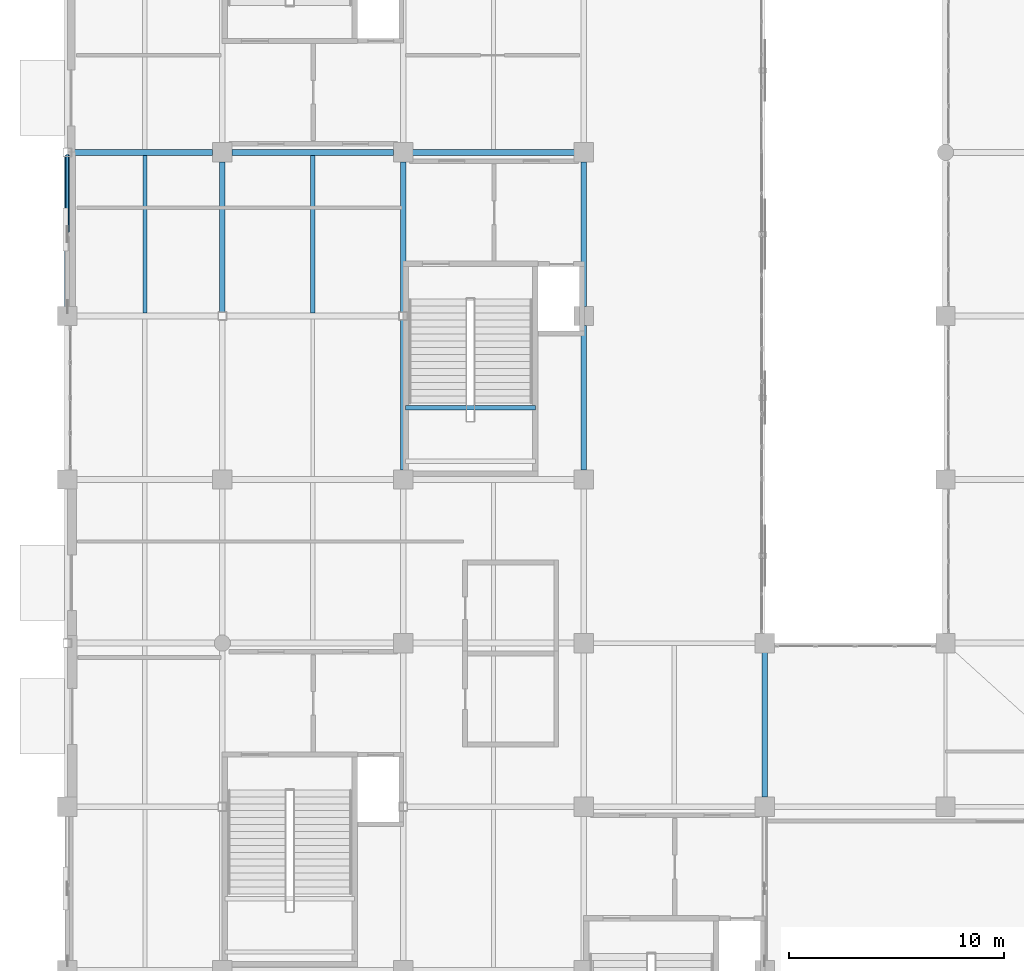
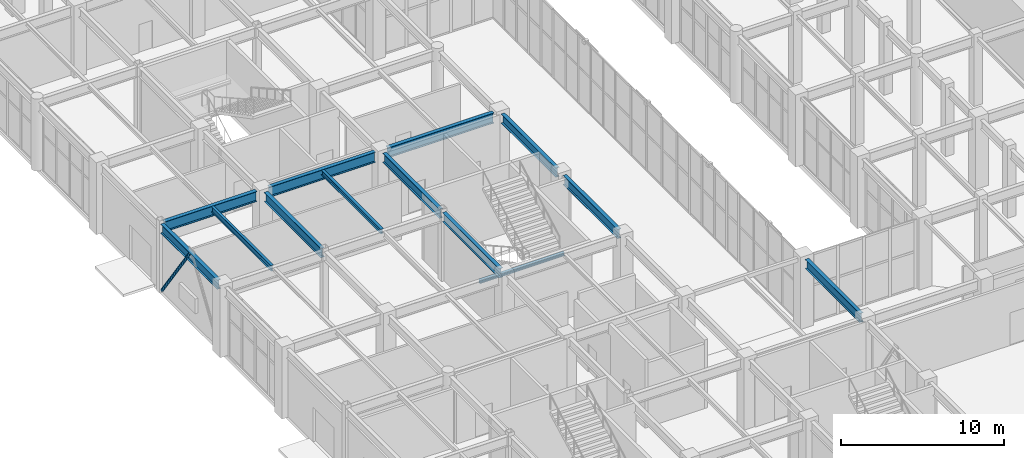
# One storey, part 21 of 139: 13 beams, 1 member.
"""IFC4 building model written with IfcOpenShell, lengths in metres."""

from ifc_helpers import new_model, si_unit, direction, frame, origin, origin_2d, place, context, subcontext, project, spatial, hollow_circle, i_section, extrude, material, material_profile, profile_set, type_object, element, save


model = new_model("IFC4")

# Units and contexts
model_context = context("Model", 3, precision=1e-05, world=origin(), true_north=direction((0.0, 1.0)))
body_context = subcontext(model_context, "Body", "Model", "MODEL_VIEW")
ifc_project = project(units=[si_unit("LENGTHUNIT", "METRE"), si_unit("AREAUNIT", "SQUARE_METRE"), si_unit("VOLUMEUNIT", "CUBIC_METRE"), si_unit("PLANEANGLEUNIT", "RADIAN"), si_unit("MASSUNIT", "GRAM", prefix="KILO")], contexts=[model_context])

# Site, building, storey
site_placement = place(None, origin())
site = spatial("IfcSite", under=ifc_project, at=site_placement, CompositionType="ELEMENT")
building_placement = place(site_placement, origin())
building = spatial("IfcBuilding", under=site, at=building_placement, Name="Xicomal Pleat Aquarium", CompositionType="ELEMENT")
storey_placement = place(building_placement, origin())
storey = spatial("IfcBuildingStorey", under=building, at=storey_placement, Name="L01", CompositionType="ELEMENT", Elevation=0.0)

# Beams
ifc_material_1 = material(Name="Structural steel A992 Gr 50", Category="steel")
ifc_material_profile_1 = material_profile(ifc_material_1, i_section(OverallWidth=0.201904296875, OverallDepth=0.2470703125, WebThickness=0.00732421875, FlangeThickness=0.010986328125, at=origin_2d()), Name="IR 250x49")
ifc_profile_set_1 = profile_set([ifc_material_profile_1], Name="Structural steel A992 Gr 50")
beam_type_1 = type_object("IfcBeamType", Name="BM-STL-IR250", PredefinedType="JOIST", material=ifc_profile_set_1)
beam_1_placement = place(storey_placement, frame((18.719970703125, 48.929931640625, 2.37890625), z_axis=(1.0, 0.0, 0.0), x_axis=(0.0, 1.0, 0.0)))
element("IfcBeam", 1, at=beam_1_placement, inside=storey, type_object=beam_type_1, Name="ST-04-L01 half-landing bearer beam 2", PredefinedType="JOIST", context=body_context, shape_type="SweptSolid", body=[
    extrude(i_section(OverallWidth=0.201904296875, OverallDepth=0.2470703125, WebThickness=0.00732421875, FlangeThickness=0.010986328125, at=origin_2d()), origin(), (0.0, 0.0, 1.0), 6.02001953125),
])
ifc_material_2 = material(Name="Structural steel A992 Gr 50", Category="steel")
ifc_material_profile_2 = material_profile(ifc_material_2, i_section(OverallWidth=0.205078125, OverallDepth=0.35400390625, WebThickness=0.009521484375, FlangeThickness=0.016845703125, at=origin_2d()), Name="IR 360x79")
ifc_profile_set_2 = profile_set([ifc_material_profile_2], Name="Structural steel A992 Gr 50")
beam_type_2 = type_object("IfcBeamType", Name="BM-STL-IR360", PredefinedType="JOIST", material=ifc_profile_set_2)
beam_2_placement = place(storey_placement, frame((14.39990234375, 53.3369140625, 4.98291015625), z_axis=(0.0, 1.0, 0.0), x_axis=(-1.0, 0.0, 0.0)))
element("IfcBeam", 2, at=beam_2_placement, inside=storey, type_object=beam_type_2, Name="L01 framing beam FBJ-L01-02-H-1", PredefinedType="JOIST", context=body_context, shape_type="SweptSolid", body=[
    extrude(i_section(OverallWidth=0.205078125, OverallDepth=0.35400390625, WebThickness=0.009521484375, FlangeThickness=0.016845703125, at=origin_2d()), origin(), (0.0, 0.0, 1.0), 7.326171875),
])
ifc_material_3 = material(Name="Structural steel A992 Gr 50", Category="steel")
ifc_material_profile_3 = material_profile(ifc_material_3, i_section(OverallWidth=0.180908203125, OverallDepth=0.4169921875, WebThickness=0.010986328125, FlangeThickness=0.018310546875, at=origin_2d()), Name="IR 410x85")
ifc_profile_set_3 = profile_set([ifc_material_profile_3], Name="Structural steel A992 Gr 50")
beam_type_3 = type_object("IfcBeamType", Name="BM-STL-IR410", PredefinedType="JOIST", material=ifc_profile_set_3)
beam_3_placement = place(storey_placement, frame((6.60009765625, 53.3369140625, 4.951416015625), z_axis=(0.0, 1.0, 0.0), x_axis=(-1.0, 0.0, 0.0)))
element("IfcBeam", 3, at=beam_3_placement, inside=storey, type_object=beam_type_3, Name="L01 framing beam FBJ-L01-01-H-1", PredefinedType="JOIST", context=body_context, shape_type="SweptSolid", body=[
    extrude(i_section(OverallWidth=0.180908203125, OverallDepth=0.4169921875, WebThickness=0.010986328125, FlangeThickness=0.018310546875, at=origin_2d()), origin(), (0.0, 0.0, 1.0), 7.326171875),
])
ifc_material_4 = material(Name="Structural steel A992 Gr 50", Category="steel")
ifc_material_profile_4 = material_profile(ifc_material_4, i_section(OverallWidth=0.256103515625, OverallDepth=0.693115234375, WebThickness=0.014404296875, FlangeThickness=0.023681640625, at=origin_2d()), Name="IR 690x170")
ifc_profile_set_4 = profile_set([ifc_material_profile_4], Name="Structural steel A992 Gr 50")
beam_type_4 = type_object("IfcBeamType", Name="BM-STL-IR690", PredefinedType="BEAM", material=ifc_profile_set_4)
for number, where, z_axis, x_axis, name in (
    (4, (3.0, 53.64501953125, 4.8134765625), (0.0, 1.0, 0.0), (-1.0, 0.0, 0.0), "L01 framing beam FGY-L01-01-H-J"),
    (5, (10.199951171875, 53.39501953125, 4.8134765625), (0.0, 1.0, 0.0), (-1.0, 0.0, 0.0), "L01 framing beam FGY-L01-02-H-J"),
    (6, (18.60009765625, 46.044921875, 4.8134765625), (0.0, 1.0, 0.0), (-1.0, 0.0, 0.0), "L01 framing beam FGY-L01-03-G-H"),
    (7, (18.60009765625, 53.39501953125, 4.8134765625), (0.0, 1.0, 0.0), (-1.0, 0.0, 0.0), "L01 framing beam FGY-L01-03-H-J"),
):
    element("IfcBeam", number, at=place(storey_placement, frame(where, z_axis=z_axis, x_axis=x_axis)), inside=storey, type_object=beam_type_4, Name=name, PredefinedType="BEAM", context=body_context, shape_type="SweptSolid", body=[
        extrude(i_section(OverallWidth=0.256103515625, OverallDepth=0.693115234375, WebThickness=0.014404296875, FlangeThickness=0.023681640625, at=origin_2d()), origin(), (0.0, 0.0, 1.0), 6.9599609375),
    ])
for number, where, z_axis, x_axis, name in (
    (8, (27.0, 46.044921875, 4.8134765625), (0.0, 1.0, 0.0), (-1.0, 0.0, 0.0), "L01 framing beam FGY-L01-04-G-H"),
    (9, (27.0, 53.64501953125, 4.8134765625), (0.0, 1.0, 0.0), (-1.0, 0.0, 0.0), "L01 framing beam FGY-L01-04-H-J"),
    (10, (35.39990234375, 30.844970703125, 4.79345703125), (0.0, 1.0, 0.0), (-1.0, 0.0, 0.0), "L01 framing beam FGY-L01-05-E-F"),
):
    element("IfcBeam", number, at=place(storey_placement, frame(where, z_axis=z_axis, x_axis=x_axis)), inside=storey, type_object=beam_type_4, Name=name, PredefinedType="BEAM", context=body_context, shape_type="SweptSolid", body=[
        extrude(i_section(OverallWidth=0.256103515625, OverallDepth=0.693115234375, WebThickness=0.014404296875, FlangeThickness=0.023681640625, at=origin_2d()), origin(), (0.0, 0.0, 1.0), 6.7099609375),
    ])
ifc_material_5 = material(Name="Structural steel A992 Gr 50", Category="steel")
ifc_material_profile_5 = material_profile(ifc_material_5, i_section(OverallWidth=0.26806640625, OverallDepth=0.77001953125, WebThickness=0.015625, FlangeThickness=0.025390625, at=origin_2d()), Name="IR 760x196")
ifc_profile_set_5 = profile_set([ifc_material_profile_5], Name="Structural steel A992 Gr 50")
beam_type_5 = type_object("IfcBeamType", Name="BM-STL-IR760", PredefinedType="BEAM", material=ifc_profile_set_5)
beam_4_placement = place(storey_placement, frame((3.195068359375, 60.800048828125, 4.77490234375), z_axis=(1.0, 0.0, 0.0), x_axis=(0.0, 1.0, 0.0)))
element("IfcBeam", 11, at=beam_4_placement, inside=storey, type_object=beam_type_5, Name="L01 framing beam FGX-L01-01-02-J", PredefinedType="BEAM", context=body_context, shape_type="SweptSolid", body=[
    extrude(i_section(OverallWidth=0.26806640625, OverallDepth=0.77001953125, WebThickness=0.015625, FlangeThickness=0.025390625, at=origin_2d()), origin(), (0.0, 0.0, 1.0), 6.559814453125),
])
for number, where, z_axis, x_axis, name in (
    (12, (10.64501953125, 60.800048828125, 4.77490234375), (1.0, 0.0, 0.0), (0.0, 1.0, 0.0), "L01 framing beam FGX-L01-02-03-J"),
    (13, (19.044921875, 60.800048828125, 4.77490234375), (1.0, 0.0, 0.0), (0.0, 1.0, 0.0), "L01 framing beam FGX-L01-03-04-J"),
):
    element("IfcBeam", number, at=place(storey_placement, frame(where, z_axis=z_axis, x_axis=x_axis)), inside=storey, type_object=beam_type_5, Name=name, PredefinedType="BEAM", context=body_context, shape_type="SweptSolid", body=[
        extrude(i_section(OverallWidth=0.26806640625, OverallDepth=0.77001953125, WebThickness=0.015625, FlangeThickness=0.025390625, at=origin_2d()), origin(), (0.0, 0.0, 1.0), 7.510009765625),
    ])

# Member
ifc_material_6 = material(Name="Structural steel A500 Gr C", Category="steel")
ifc_material_profile_6 = material_profile(ifc_material_6, hollow_circle(Radius=0.109619140625, WallThickness=0.011962890625, at=origin_2d()), Name="OC 219x12")
ifc_profile_set_6 = profile_set([ifc_material_profile_6], Name="Structural steel A500 Gr C")
member_type = type_object("IfcMemberType", Name="MEM-BR-OC219", PredefinedType="BRACE", material=ifc_profile_set_6)
member_placement = place(storey_placement, frame((3.0, 60.6201171875, 0.14990234375), z_axis=(0.0, -0.5779372407, 0.816081212755), x_axis=(1.0, 0.0, 0.0)))
element("IfcMember", 14, at=member_placement, inside=storey, type_object=member_type, Name="L01 chevron brace 7B", PredefinedType="BRACE", context=body_context, shape_type="SweptSolid", body=[
    extrude(hollow_circle(Radius=0.109619140625, WallThickness=0.011962890625, at=origin_2d()), origin(), (0.0, 0.0, 1.0), 6.00439453125),
])

save(model, "model.ifc")
